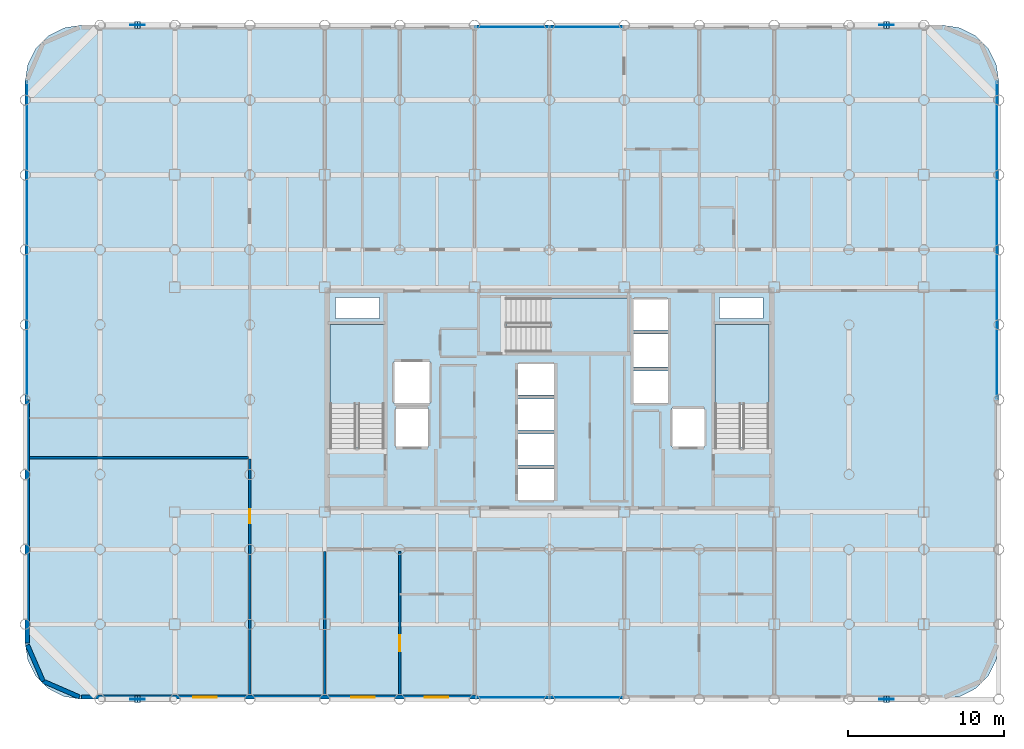
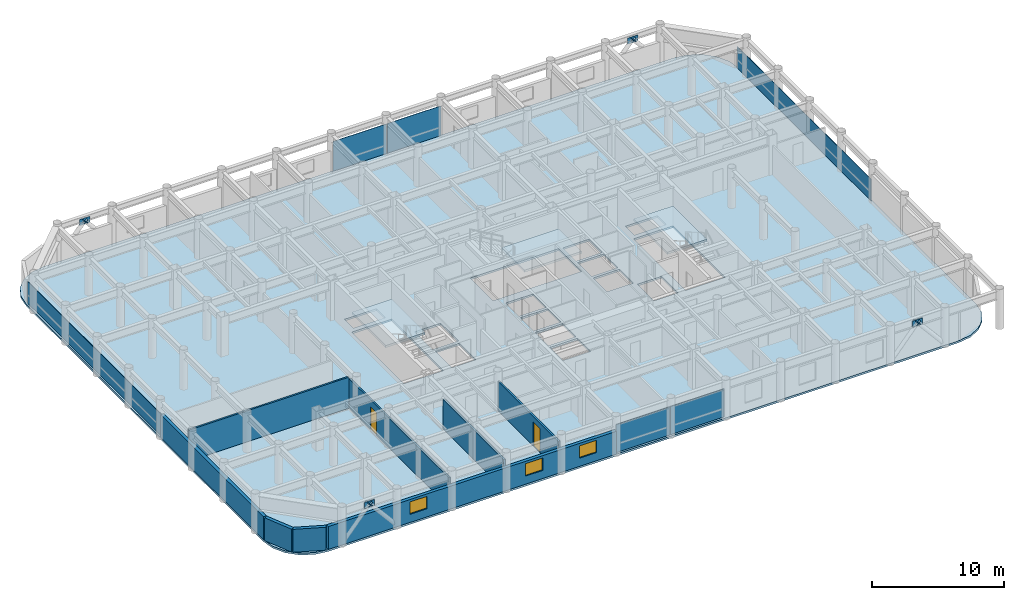
# One storey, part 15 of 20: 18 plates, 8 walls, 4 slabs, 3 windows, 2 doors, 5 openings, 7 elements without a shape of their own.
"""IFC4 building model written with IfcOpenShell, lengths in metres."""

from ifc_helpers import new_model, si_unit, direction, frame, frame_2d, origin, origin_2d, place, context, subcontext, project, spatial, polyline, rectangle, outline, extrude, material, layer, layer_set, type_object, element, fill, aggregate, save


model = new_model("IFC4")

# Units and contexts
model_context = context("Model", 3, precision=1e-05, world=origin(), true_north=direction((0.0, 1.0)))
body_context = subcontext(model_context, "Body", "Model", "MODEL_VIEW")
ifc_project = project(units=[si_unit("LENGTHUNIT", "METRE"), si_unit("AREAUNIT", "SQUARE_METRE"), si_unit("VOLUMEUNIT", "CUBIC_METRE"), si_unit("PLANEANGLEUNIT", "RADIAN"), si_unit("MASSUNIT", "GRAM", prefix="KILO")], contexts=[model_context])

# Site, building, storey
site_placement = place(None, origin())
site = spatial("IfcSite", under=ifc_project, at=site_placement, CompositionType="ELEMENT")
building_placement = place(site_placement, origin())
building = spatial("IfcBuilding", under=site, at=building_placement, Name="Kallvorn Hotel Tower", CompositionType="ELEMENT")
storey_placement = place(building_placement, frame((0.0, 0.0, 143.300048828125)))
storey = spatial("IfcBuildingStorey", under=building, at=storey_placement, Name="L35", CompositionType="ELEMENT", Elevation=143.300048828125)

# Curtain wall, plates
ifc_material_1 = material(Name="Thermally broken black-anodised aluminium AA 6063-T6", Category="aluminium")
ifc_layer_1 = layer(ifc_material_1, 0.2099609375)
ifc_layer_set_1 = layer_set([ifc_layer_1], Name="CW_SYS_4_HOTEL_MID")
curtain_wall_type = type_object("IfcCurtainWallType", Name="CW_SYS_4_HOTEL_MID", PredefinedType="USERDEFINED", material=ifc_layer_set_1)
curtain_wall_1_placement = place(storey_placement, origin())
curtain_wall_1 = element("IfcCurtainWall", 1, at=curtain_wall_1_placement, inside=storey, type_object=curtain_wall_type, Name="L35 Dark-Glass Curtain Wall CW-L35-SC", ObjectType="UNITISED CURTAIN WALL", PredefinedType="USERDEFINED")
ifc_material_2 = material(Name="Double-glazed low-e solar-control dark glass", Category="glass")
ifc_layer_2 = layer(ifc_material_2, 0.037841796875)
ifc_layer_set_2 = layer_set([ifc_layer_2], Name="CW_SYS_4_HOTEL_MID_PANEL")
plate_type_1 = type_object("IfcPlateType", Name="CW_SYS_4_HOTEL_MID_PANEL", PredefinedType="CURTAIN_PANEL", material=ifc_layer_set_2)
plate_1_placement = place(storey_placement, frame((-2.375, -19.080078125, 0.059814453125), z_axis=(0.0, 0.0, 1.0), x_axis=(1.0, 0.0, 0.0)))
plate_1 = element("IfcPlate", 2, at=plate_1_placement, type_object=plate_type_1, Name="CW-L35-SC Vision Glass Panel 00", PredefinedType="CURTAIN_PANEL", context=body_context, shape_type="SweptSolid", body=[
    extrude(rectangle(XDim=4.68994140625, YDim=0.037841796875, at=origin_2d()), origin(), (0.0, 0.0, 1.0), 2.60009765625),
])
plate_2_placement = place(storey_placement, frame((2.375, -19.080078125, 0.059814453125), z_axis=(0.0, 0.0, 1.0), x_axis=(1.0, 0.0, 0.0)))
plate_2 = element("IfcPlate", 3, at=plate_2_placement, type_object=plate_type_1, Name="CW-L35-SC Vision Glass Panel 01", PredefinedType="CURTAIN_PANEL", context=body_context, shape_type="SweptSolid", body=[
    extrude(rectangle(XDim=4.68994140625, YDim=0.037841796875, at=origin_2d()), origin(), (0.0, 0.0, 1.0), 2.60009765625),
])
aggregate(curtain_wall_1, [plate_1, plate_2])

curtain_wall_2_placement = place(storey_placement, origin())
curtain_wall_2 = element("IfcCurtainWall", 4, at=curtain_wall_2_placement, inside=storey, type_object=curtain_wall_type, Name="L35 Dark-Glass Curtain Wall CW-L35-NC", ObjectType="UNITISED CURTAIN WALL", PredefinedType="USERDEFINED")
plate_3_placement = place(storey_placement, frame((-2.375, 23.8798828125, 0.06005859375), z_axis=(0.0, 0.0, 1.0), x_axis=(1.0, 0.0, 0.0)))
plate_3 = element("IfcPlate", 5, at=plate_3_placement, type_object=plate_type_1, Name="CW-L35-NC Vision Glass Panel 00", PredefinedType="CURTAIN_PANEL", context=body_context, shape_type="SweptSolid", body=[
    extrude(rectangle(XDim=4.68994140625, YDim=0.037841796875, at=origin_2d()), origin(), (0.0, 0.0, 1.0), 2.75),
])
plate_4_placement = place(storey_placement, frame((2.375, 23.8798828125, 0.06005859375), z_axis=(0.0, 0.0, 1.0), x_axis=(1.0, 0.0, 0.0)))
plate_4 = element("IfcPlate", 6, at=plate_4_placement, type_object=plate_type_1, Name="CW-L35-NC Vision Glass Panel 01", PredefinedType="CURTAIN_PANEL", context=body_context, shape_type="SweptSolid", body=[
    extrude(rectangle(XDim=4.68994140625, YDim=0.037841796875, at=origin_2d()), origin(), (0.0, 0.0, 1.0), 2.75),
])
aggregate(curtain_wall_2, [plate_3, plate_4])

# Curtain wall, plate
curtain_wall_3_placement = place(storey_placement, origin())
curtain_wall_3 = element("IfcCurtainWall", 7, at=curtain_wall_3_placement, inside=storey, type_object=curtain_wall_type, Name="L35 Dark-Glass Curtain Wall CW-L35-WN", ObjectType="UNITISED CURTAIN WALL", PredefinedType="USERDEFINED")
plate_5_placement = place(storey_placement, frame((-33.47998046875, 10.2099609375, 0.06005859375), z_axis=(0.0, 0.0, 1.0), x_axis=(0.0, 1.0, 0.0)))
plate_5 = element("IfcPlate", 8, at=plate_5_placement, type_object=plate_type_1, Name="CW-L35-WN Vision Glass Panel 00", PredefinedType="CURTAIN_PANEL", context=body_context, shape_type="SweptSolid", body=[
    extrude(rectangle(XDim=20.320068359375, YDim=0.037841796875, at=origin_2d()), origin(), (0.0, 0.0, 1.0), 2.0),
])
aggregate(curtain_wall_3, [plate_5])

curtain_wall_4_placement = place(storey_placement, origin())
curtain_wall_4 = element("IfcCurtainWall", 9, at=curtain_wall_4_placement, inside=storey, type_object=curtain_wall_type, Name="L35 Dark-Glass Curtain Wall CW-L35-EN", ObjectType="UNITISED CURTAIN WALL", PredefinedType="USERDEFINED")
plate_6_placement = place(storey_placement, frame((28.679931640625, 10.2099609375, 0.06005859375), z_axis=(0.0, 0.0, 1.0), x_axis=(0.0, 1.0, 0.0)))
plate_6 = element("IfcPlate", 10, at=plate_6_placement, type_object=plate_type_1, Name="CW-L35-EN Vision Glass Panel 00", PredefinedType="CURTAIN_PANEL", context=body_context, shape_type="SweptSolid", body=[
    extrude(rectangle(XDim=20.320068359375, YDim=0.037841796875, at=origin_2d()), origin(), (0.0, 0.0, 1.0), 2.0),
])
aggregate(curtain_wall_4, [plate_6])

# Plates
ifc_material_3 = material(Name="Structural steel S355JR", Category="steel")
ifc_layer_3 = layer(ifc_material_3, 0.030029296875)
ifc_layer_set_3 = layer_set([ifc_layer_3], Name="PLT_CAP_30")
plate_type_2 = type_object("IfcPlateType", Name="PLT_CAP_30", PredefinedType="SHEET", material=ifc_layer_set_3)
plate_7_placement = place(storey_placement, frame((-26.227294921875, -19.417724609375, 2.876708984375), z_axis=(0.646720691081, 0.0, 0.762726915565), x_axis=(0.0, 1.0, 0.0)))
element("IfcPlate", 11, at=plate_7_placement, inside=storey, type_object=plate_type_2, Name="EXO-L35-S1A End Cap Plate B", PredefinedType="SHEET", context=body_context, shape_type="SweptSolid", body=[
    extrude(outline(polyline([(0.0, 0.0), (0.435546875, 0.0), (0.435546875, 0.4356413597636253), (0.0, 0.4356413597636253), (0.0, 0.0)])), origin(), (0.0, 0.0, -1.0), 0.030029296875),
])
plate_8_placement = place(storey_placement, frame((-26.572509765625, -18.982177734375, 2.876708984375), z_axis=(-0.646997204148, 0.0, 0.762492372306), x_axis=(0.0, -1.0, 0.0)))
element("IfcPlate", 12, at=plate_8_placement, inside=storey, type_object=plate_type_2, Name="EXO-L35-S1B End Cap Plate B", PredefinedType="SHEET", context=body_context, shape_type="SweptSolid", body=[
    extrude(outline(polyline([(0.0, 0.0), (0.435546875, 0.0), (0.435546875, 0.43545517576240456), (0.0, 0.43545517576240456), (0.0, 0.0)])), origin(), (0.0, 0.0, -1.0), 0.030029296875),
])
plate_9_placement = place(storey_placement, frame((21.772705078125, -19.417724609375, 2.876708984375), z_axis=(0.646720691081, 0.0, 0.762726915565), x_axis=(0.0, 1.0, 0.0)))
element("IfcPlate", 13, at=plate_9_placement, inside=storey, type_object=plate_type_2, Name="EXO-L35-S2A End Cap Plate B", PredefinedType="SHEET", context=body_context, shape_type="SweptSolid", body=[
    extrude(outline(polyline([(0.0, 0.0), (0.435546875, 0.0), (0.435546875, 0.4356413597636253), (0.0, 0.4356413597636253), (0.0, 0.0)])), origin(), (0.0, 0.0, -1.0), 0.030029296875),
])
plate_10_placement = place(storey_placement, frame((21.427490234375, -18.982177734375, 2.876708984375), z_axis=(-0.646997204148, 0.0, 0.762492372306), x_axis=(0.0, -1.0, 0.0)))
element("IfcPlate", 14, at=plate_10_placement, inside=storey, type_object=plate_type_2, Name="EXO-L35-S2B End Cap Plate B", PredefinedType="SHEET", context=body_context, shape_type="SweptSolid", body=[
    extrude(outline(polyline([(0.0, 0.0), (0.435546875, 0.0), (0.435546875, 0.43545517576240456), (0.0, 0.43545517576240456), (0.0, 0.0)])), origin(), (0.0, 0.0, -1.0), 0.030029296875),
])
plate_11_placement = place(storey_placement, frame((-26.227294921875, 23.7822265625, 2.876708984375), z_axis=(0.646720691081, 0.0, 0.762726915565), x_axis=(0.0, 1.0, 0.0)))
element("IfcPlate", 15, at=plate_11_placement, inside=storey, type_object=plate_type_2, Name="EXO-L35-N1A End Cap Plate B", PredefinedType="SHEET", context=body_context, shape_type="SweptSolid", body=[
    extrude(outline(polyline([(0.0, 0.0), (0.435546875, 0.0), (0.435546875, 0.4356413597636253), (0.0, 0.4356413597636253), (0.0, 0.0)])), origin(), (0.0, 0.0, -1.0), 0.030029296875),
])
plate_12_placement = place(storey_placement, frame((-26.572509765625, 24.2177734375, 2.876708984375), z_axis=(-0.646997204148, 0.0, 0.762492372306), x_axis=(0.0, -1.0, 0.0)))
element("IfcPlate", 16, at=plate_12_placement, inside=storey, type_object=plate_type_2, Name="EXO-L35-N1B End Cap Plate B", PredefinedType="SHEET", context=body_context, shape_type="SweptSolid", body=[
    extrude(outline(polyline([(0.0, 0.0), (0.435546875, 0.0), (0.435546875, 0.43545517576240456), (0.0, 0.43545517576240456), (0.0, 0.0)])), origin(), (0.0, 0.0, -1.0), 0.030029296875),
])
plate_13_placement = place(storey_placement, frame((21.772705078125, 23.7822265625, 2.876708984375), z_axis=(0.646720691081, 0.0, 0.762726915565), x_axis=(0.0, 1.0, 0.0)))
element("IfcPlate", 17, at=plate_13_placement, inside=storey, type_object=plate_type_2, Name="EXO-L35-N2A End Cap Plate B", PredefinedType="SHEET", context=body_context, shape_type="SweptSolid", body=[
    extrude(outline(polyline([(0.0, 0.0), (0.435546875, 0.0), (0.435546875, 0.4356413597636253), (0.0, 0.4356413597636253), (0.0, 0.0)])), origin(), (0.0, 0.0, -1.0), 0.030029296875),
])
plate_14_placement = place(storey_placement, frame((21.427490234375, 24.2177734375, 2.876708984375), z_axis=(-0.646997204148, 0.0, 0.762492372306), x_axis=(0.0, -1.0, 0.0)))
element("IfcPlate", 18, at=plate_14_placement, inside=storey, type_object=plate_type_2, Name="EXO-L35-N2B End Cap Plate B", PredefinedType="SHEET", context=body_context, shape_type="SweptSolid", body=[
    extrude(outline(polyline([(0.0, 0.0), (0.435546875, 0.0), (0.435546875, 0.43545517576240456), (0.0, 0.43545517576240456), (0.0, 0.0)])), origin(), (0.0, 0.0, -1.0), 0.030029296875),
])
ifc_material_4 = material(Name="Structural steel S355JR", Category="steel")
ifc_layer_4 = layer(ifc_material_4, 0.044921875)
ifc_layer_set_4 = layer_set([ifc_layer_4], Name="PLT_GUSSET_45")
plate_type_3 = type_object("IfcPlateType", Name="PLT_GUSSET_45", PredefinedType="USERDEFINED", material=ifc_layer_set_4)
for number, where, z_axis, x_axis, name in (
    (19, (-26.39990234375, -19.199951171875, 2.68994140625), (0.0, 0.0, 1.0), (1.0, 0.0, 0.0), "L35 Exoskeleton Node Gusset S1"),
    (20, (21.60009765625, -19.199951171875, 2.68994140625), (0.0, 0.0, 1.0), (1.0, 0.0, 0.0), "L35 Exoskeleton Node Gusset S2"),
    (21, (-26.39990234375, 24.0, 2.68994140625), (0.0, 0.0, 1.0), (1.0, 0.0, 0.0), "L35 Exoskeleton Node Gusset N1"),
    (22, (21.60009765625, 24.0, 2.68994140625), (0.0, 0.0, 1.0), (1.0, 0.0, 0.0), "L35 Exoskeleton Node Gusset N2"),
):
    element("IfcPlate", number, at=place(storey_placement, frame(where, z_axis=z_axis, x_axis=x_axis)), inside=storey, type_object=plate_type_3, Name=name, ObjectType="GUSSET PLATE", PredefinedType="USERDEFINED", context=body_context, shape_type="SweptSolid", body=[
        extrude(rectangle(XDim=0.89990234375, YDim=0.044921875, at=origin_2d()), origin(), (0.0, 0.0, 1.0), 0.56005859375),
    ])

# Stair, slab
ifc_material_5 = material(Name="Precast concrete C40/50", Category="concrete")
stair_type = type_object("IfcStairType", Name="STR_CORE_DOGLEG", PredefinedType="HALF_TURN_STAIR", material=ifc_material_5)
stair_1_placement = place(storey_placement, origin())
stair_1 = element("IfcStair", 23, at=stair_1_placement, inside=storey, type_object=stair_type, Name="L35 Exit stair ST1", PredefinedType="HALF_TURN_STAIR")
ifc_material_6 = material(Name="Precast concrete C40/50", Category="concrete")
ifc_layer_5 = layer(ifc_material_6, 0.179931640625)
ifc_layer_set_5 = layer_set([ifc_layer_5], Name="SLB_LANDING_180")
slab_type_1 = type_object("IfcSlabType", Name="SLB_LANDING_180", PredefinedType="LANDING", material=ifc_layer_set_5)
slab_1_placement = place(storey_placement, frame((0.0, 0.0, 1.64990234375)))
slab_1 = element("IfcSlab", 24, at=slab_1_placement, type_object=slab_type_1, Name="ST1 landing 1", PredefinedType="LANDING", context=body_context, shape_type="SweptSolid", body=[
    extrude(outline(polyline([(-10.60009765625, -0.31005859375), (-10.60009765625, 4.800048828125), (-14.06005859375, 4.800048828125), (-14.06005859375, -0.31005859375), (-10.60009765625, -0.31005859375)])), origin(), (0.0, 0.0, 1.0), 0.199951171875),
])
aggregate(stair_1, [slab_1])

stair_2_placement = place(storey_placement, origin())
stair_2 = element("IfcStair", 25, at=stair_2_placement, inside=storey, type_object=stair_type, Name="L35 Exit stair ST2", PredefinedType="HALF_TURN_STAIR")
slab_2_placement = place(storey_placement, frame((0.0, 0.0, 1.64990234375)))
slab_2 = element("IfcSlab", 26, at=slab_2_placement, type_object=slab_type_1, Name="ST2 landing 1", PredefinedType="LANDING", context=body_context, shape_type="SweptSolid", body=[
    extrude(outline(polyline([(14.06005859375, -0.31005859375), (14.06005859375, 4.800048828125), (10.60009765625, 4.800048828125), (10.60009765625, -0.31005859375), (14.06005859375, -0.31005859375)])), origin(), (0.0, 0.0, 1.0), 0.199951171875),
])
aggregate(stair_2, [slab_2])

stair_3_placement = place(storey_placement, origin())
stair_3 = element("IfcStair", 27, at=stair_3_placement, inside=storey, type_object=stair_type, Name="L35 Exit stair ST3", PredefinedType="HALF_TURN_STAIR")
slab_3_placement = place(storey_placement, frame((0.0, 0.0, 1.64990234375)))
slab_3 = element("IfcSlab", 28, at=slab_3_placement, type_object=slab_type_1, Name="ST3 landing 1", PredefinedType="LANDING", context=body_context, shape_type="SweptSolid", body=[
    extrude(outline(polyline([(0.0400390625, 3.050048828125), (5.050048828125, 3.050048828125), (5.050048828125, 6.510009765625), (0.0400390625, 6.510009765625), (0.0400390625, 3.050048828125)])), origin(), (0.0, 0.0, 1.0), 0.199951171875),
])
aggregate(stair_3, [slab_3])

# Slab
ifc_material_7 = material(Name="Concrete C40/50", Category="concrete")
ifc_layer_6 = layer(ifc_material_7, 0.179931640625)
ifc_layer_set_6 = layer_set([ifc_layer_6], Name="SLB_TOWER_180")
slab_type_2 = type_object("IfcSlabType", Name="SLB_TOWER_180", PredefinedType="FLOOR", material=ifc_layer_set_6)
slab_4_placement = place(storey_placement, frame((0.0, 0.0, -0.179931640625)))
element("IfcSlab", 29, at=slab_4_placement, inside=storey, type_object=slab_type_2, Name="L35 Structural Floor Slab", PredefinedType="FLOOR", context=body_context, shape_type="SweptSolid", body=[
    extrude(outline(polyline([(25.199951171875, -19.199951171875), (26.3125, -19.023681640625), (27.31591796875, -18.512451171875), (28.112548828125, -17.716064453125), (28.623779296875, -16.71240234375), (28.800048828125, -15.60009765625), (28.800048828125, 20.39990234375), (28.623779296875, 21.512451171875), (28.112548828125, 22.51611328125), (27.31591796875, 23.3125), (26.3125, 23.82373046875), (25.199951171875, 24.0), (-30.0, 24.0), (-31.112548828125, 23.82373046875), (-32.115966796875, 23.3125), (-32.91259765625, 22.51611328125), (-33.423828125, 21.512451171875), (-33.60009765625, 20.39990234375), (-33.60009765625, -15.60009765625), (-33.423828125, -16.71240234375), (-32.91259765625, -17.716064453125), (-32.115966796875, -18.512451171875), (-31.112548828125, -19.023681640625), (-30.0, -19.199951171875), (25.199951171875, -19.199951171875)]), holes=[polyline([(-10.60009765625, -3.070068359375), (-10.60009765625, 4.800048828125), (-14.06005859375, 4.800048828125), (-14.06005859375, -3.070068359375), (-10.60009765625, -3.070068359375)]), polyline([(14.06005859375, -3.070068359375), (14.06005859375, 4.800048828125), (10.60009765625, 4.800048828125), (10.60009765625, -3.070068359375), (14.06005859375, -3.070068359375)]), polyline([(-2.719970703125, 3.050048828125), (5.050048828125, 3.050048828125), (5.050048828125, 6.510009765625), (-2.719970703125, 6.510009765625), (-2.719970703125, 3.050048828125)]), polyline([(-2.050048828125, -6.449951171875), (0.35009765625, -6.449951171875), (0.35009765625, -4.449951171875), (-2.050048828125, -4.449951171875), (-2.050048828125, -6.449951171875)]), polyline([(-2.050048828125, -4.199951171875), (0.35009765625, -4.199951171875), (0.35009765625, -2.199951171875), (-2.050048828125, -2.199951171875), (-2.050048828125, -4.199951171875)]), polyline([(-2.050048828125, -1.949951171875), (0.35009765625, -1.949951171875), (0.35009765625, 0.050048828125), (-2.050048828125, 0.050048828125), (-2.050048828125, -1.949951171875)]), polyline([(-2.050048828125, 0.300048828125), (0.35009765625, 0.300048828125), (0.35009765625, 2.300048828125), (-2.050048828125, 2.300048828125), (-2.050048828125, 0.300048828125)]), polyline([(5.35009765625, -0.25), (7.64990234375, -0.25), (7.64990234375, 1.85009765625), (5.35009765625, 1.85009765625), (5.35009765625, -0.25)]), polyline([(5.35009765625, 2.10009765625), (7.64990234375, 2.10009765625), (7.64990234375, 4.199951171875), (5.35009765625, 4.199951171875), (5.35009765625, 2.10009765625)]), polyline([(5.35009765625, 4.449951171875), (7.64990234375, 4.449951171875), (7.64990234375, 6.449951171875), (5.35009765625, 6.449951171875), (5.35009765625, 4.449951171875)]), polyline([(-9.85009765625, -3.050048828125), (-7.75, -3.050048828125), (-7.75, -0.550048828125), (-9.85009765625, -0.550048828125), (-9.85009765625, -3.050048828125)]), polyline([(7.85009765625, -3.050048828125), (9.949951171875, -3.050048828125), (9.949951171875, -0.550048828125), (7.85009765625, -0.550048828125), (7.85009765625, -3.050048828125)]), polyline([(-9.949951171875, -0.25), (-7.64990234375, -0.25), (-7.64990234375, 2.449951171875), (-9.949951171875, 2.449951171875), (-9.949951171875, -0.25)]), polyline([(-13.699951171875, 5.199951171875), (-10.89990234375, 5.199951171875), (-10.89990234375, 6.550048828125), (-13.699951171875, 6.550048828125), (-13.699951171875, 5.199951171875)]), polyline([(10.89990234375, 5.199951171875), (13.699951171875, 5.199951171875), (13.699951171875, 6.550048828125), (10.89990234375, 6.550048828125), (10.89990234375, 5.199951171875)])]), origin(), (0.0, 0.0, 1.0), 0.179931640625),
])

# Wall
ifc_material_8 = material(Name="Fire-rated double-layer acoustic gypsum drywall EI 60")
ifc_layer_7 = layer(ifc_material_8, 0.159912109375)
ifc_layer_set_7 = layer_set([ifc_layer_7], Name="WL_DEMISE_160")
wall_type_1 = type_object("IfcWallType", Name="WL_DEMISE_160", PredefinedType="PARTITIONING", material=ifc_layer_set_7)
wall_1_placement = place(storey_placement, frame((-14.39990234375, -18.909912109375, 0.0), z_axis=(0.0, 0.0, 1.0), x_axis=(0.0, 1.0, 0.0)))
element("IfcWall", 30, at=wall_1_placement, inside=storey, type_object=wall_type_1, Name="L35 Suite 3501 Executive Living Salon Partition", PredefinedType="PARTITIONING", context=body_context, shape_type="SweptSolid", body=[
    extrude(rectangle(XDim=9.18994140625, YDim=0.159912109375, at=frame_2d((4.594970703125, 0.0))), origin(), (0.0, 0.0, 1.0), 2.719970703125),
])

# Wall, opening, door
wall_2_placement = place(storey_placement, frame((-9.60009765625, -18.909912109375, 0.0), z_axis=(0.0, 0.0, 1.0), x_axis=(0.0, 1.0, 0.0)))
wall_2 = element("IfcWall", 31, at=wall_2_placement, inside=storey, type_object=wall_type_1, Name="L35 Suite 3501 Executive Bedroom Partition", PredefinedType="PARTITIONING", context=body_context, shape_type="SweptSolid", body=[
    extrude(rectangle(XDim=9.18994140625, YDim=0.159912109375, at=frame_2d((4.594970703125, 0.0))), origin(), (0.0, 0.0, 1.0), 2.719970703125),
])
opening_1_placement = place(wall_2_placement, frame((2.77490234375, 0.0, 0.0)))
opening_1 = element("IfcOpeningElement", 32, at=opening_1_placement, cuts=wall_2, Name="Opening GD2", PredefinedType="OPENING", context=body_context, shape_type="SweptSolid", body=[
    extrude(rectangle(XDim=1.050048828125, YDim=2.199951171875, at=frame_2d((0.52490234375, 1.10009765625))), frame((0.0, 0.094970703125, 0.0), z_axis=(0.0, -1.0, 0.0), x_axis=(1.0, 0.0, 0.0)), (0.0, 0.0, 1.0), 0.18994140625),
])
ifc_material_9 = material(Name="Solid-core walnut veneer fire-rated timber door leaf", Category="wood")
door_type_1 = type_object("IfcDoorType", Name="DR_SUITE_1050x2200", OperationType="NOTDEFINED", PredefinedType="DOOR", material=ifc_material_9)
door_1_placement = place(opening_1_placement, origin())
door_1 = element("IfcDoor", 33, at=door_1_placement, inside=storey, type_object=door_type_1, Name="L35 Suite 3501 Executive Bedroom Door", OperationType="SINGLE_SWING_LEFT", OverallHeight=2.199951171875, OverallWidth=1.050048828125, PredefinedType="DOOR", context=body_context, shape_type="SweptSolid", body=[
    extrude(rectangle(XDim=1.050048828125, YDim=2.199951171875, at=frame_2d((0.52490234375, 1.10009765625))), frame((0.0, 0.02490234375, 0.0), z_axis=(0.0, -1.0, 0.0), x_axis=(1.0, 0.0, 0.0)), (0.0, 0.0, 1.0), 0.050048828125),
])
fill(opening_1, door_1)

# Walls
ifc_material_10 = material(Name="Precast basalt-clad insulated concrete wall C40/50", Category="masonry")
ifc_layer_8 = layer(ifc_material_10, 0.280029296875)
ifc_layer_set_8 = layer_set([ifc_layer_8], Name="WL_EXT_LOGGIA_280")
wall_type_2 = type_object("IfcWallType", Name="WL_EXT_LOGGIA_280", PredefinedType="SOLIDWALL", material=ifc_layer_set_8)
wall_3_placement = place(storey_placement, frame((-33.4580078125, -15.720703125, 0.0), z_axis=(0.0, 0.0, 1.0), x_axis=(0.398792985289, -0.917040977756, 0.0)))
element("IfcWall", 34, at=wall_3_placement, inside=storey, type_object=wall_type_2, Name="L35 Rounded Corner Exterior Wall SW1", PredefinedType="SOLIDWALL", context=body_context, shape_type="SweptSolid", body=[
    extrude(rectangle(XDim=2.536376953125, YDim=0.280029296875, at=frame_2d((1.26806640625, 0.0))), origin(), (0.0, 0.0, 1.0), 2.119873046875),
])
wall_4_placement = place(storey_placement, frame((-32.446533203125, -18.046630859375, 0.0), z_axis=(0.0, 0.0, 1.0), x_axis=(0.917060872934, -0.398747232384, 0.0)))
element("IfcWall", 35, at=wall_4_placement, inside=storey, type_object=wall_type_2, Name="L35 Rounded Corner Exterior Wall SW2", PredefinedType="SOLIDWALL", context=body_context, shape_type="SweptSolid", body=[
    extrude(rectangle(XDim=2.5361328125, YDim=0.280029296875, at=frame_2d((1.26806640625, 0.0))), origin(), (0.0, 0.0, 1.0), 2.119873046875),
])

# Wall, openings, windows
wall_5_placement = place(storey_placement, frame((-30.0, -19.06005859375, 0.0), z_axis=(0.0, 0.0, 1.0), x_axis=(1.0, 0.0, 0.0)))
wall_5 = element("IfcWall", 36, at=wall_5_placement, inside=storey, type_object=wall_type_2, Name="L35 Exterior Envelope Wall EW-L35-SW", PredefinedType="SOLIDWALL", context=body_context, shape_type="SweptSolid", body=[
    extrude(rectangle(XDim=25.25, YDim=0.280029296875, at=frame_2d((12.625, 0.0))), origin(), (0.0, 0.0, 1.0), 2.119873046875),
])
opening_2_placement = place(wall_5_placement, frame((7.1630859375, 0.0, 0.75)))
opening_2 = element("IfcOpeningElement", 37, at=opening_2_placement, cuts=wall_5, Name="Opening W05A", PredefinedType="OPENING", context=body_context, shape_type="SweptSolid", body=[
    extrude(rectangle(XDim=1.5, YDim=1.14990234375, at=frame_2d((0.75, 0.574951171875))), frame((0.0, 0.155029296875, 0.0), z_axis=(0.0, -1.0, 0.0), x_axis=(1.0, 0.0, 0.0)), (0.0, 0.0, 1.0), 0.31005859375),
])
opening_3_placement = place(wall_5_placement, frame((17.2900390625, 0.0, 0.75)))
opening_3 = element("IfcOpeningElement", 38, at=opening_3_placement, cuts=wall_5, Name="Opening W05A", PredefinedType="OPENING", context=body_context, shape_type="SweptSolid", body=[
    extrude(rectangle(XDim=1.5, YDim=1.14990234375, at=frame_2d((0.75, 0.574951171875))), frame((0.0, 0.155029296875, 0.0), z_axis=(0.0, -1.0, 0.0), x_axis=(1.0, 0.0, 0.0)), (0.0, 0.0, 1.0), 0.31005859375),
])
opening_4_placement = place(wall_5_placement, frame((22.010009765625, 0.0, 0.75)))
opening_4 = element("IfcOpeningElement", 39, at=opening_4_placement, cuts=wall_5, Name="Opening W05A", PredefinedType="OPENING", context=body_context, shape_type="SweptSolid", body=[
    extrude(rectangle(XDim=1.5, YDim=1.14990234375, at=frame_2d((0.75, 0.574951171875))), frame((0.0, 0.155029296875, 0.0), z_axis=(0.0, -1.0, 0.0), x_axis=(1.0, 0.0, 0.0)), (0.0, 0.0, 1.0), 0.31005859375),
])
ifc_material_11 = material(Name="Double-glazed low-e solar-control dark glass", Category="glass")
window_type = type_object("IfcWindowType", Name="WN_HTL_1500x1150", PartitioningType="SINGLE_PANEL", PredefinedType="WINDOW", material=ifc_material_11)
window_1_placement = place(opening_2_placement, origin())
window_1 = element("IfcWindow", 40, at=window_1_placement, inside=storey, type_object=window_type, Name="L35 Guestroom Exterior Window 01", OverallHeight=1.14990234375, OverallWidth=1.5, PartitioningType="SINGLE_PANEL", PredefinedType="WINDOW", context=body_context, shape_type="SweptSolid", body=[
    extrude(rectangle(XDim=1.5, YDim=1.14990234375, at=frame_2d((0.75, 0.574951171875))), frame((0.0, 0.030029296875, 0.0), z_axis=(0.0, -1.0, 0.0), x_axis=(1.0, 0.0, 0.0)), (0.0, 0.0, 1.0), 0.06005859375),
])
fill(opening_2, window_1)
window_2_placement = place(opening_3_placement, origin())
window_2 = element("IfcWindow", 41, at=window_2_placement, inside=storey, type_object=window_type, Name="L35 Guestroom Exterior Window 05", OverallHeight=1.14990234375, OverallWidth=1.5, PartitioningType="SINGLE_PANEL", PredefinedType="WINDOW", context=body_context, shape_type="SweptSolid", body=[
    extrude(rectangle(XDim=1.5, YDim=1.14990234375, at=frame_2d((0.75, 0.574951171875))), frame((0.0, 0.030029296875, 0.0), z_axis=(0.0, -1.0, 0.0), x_axis=(1.0, 0.0, 0.0)), (0.0, 0.0, 1.0), 0.06005859375),
])
fill(opening_3, window_2)
window_3_placement = place(opening_4_placement, origin())
window_3 = element("IfcWindow", 42, at=window_3_placement, inside=storey, type_object=window_type, Name="L35 Guestroom Exterior Window 06", OverallHeight=1.14990234375, OverallWidth=1.5, PartitioningType="SINGLE_PANEL", PredefinedType="WINDOW", context=body_context, shape_type="SweptSolid", body=[
    extrude(rectangle(XDim=1.5, YDim=1.14990234375, at=frame_2d((0.75, 0.574951171875))), frame((0.0, 0.030029296875, 0.0), z_axis=(0.0, -1.0, 0.0), x_axis=(1.0, 0.0, 0.0)), (0.0, 0.0, 1.0), 0.06005859375),
])
fill(opening_4, window_3)

# Walls
wall_6_placement = place(storey_placement, frame((-33.4599609375, -15.60009765625, 0.0), z_axis=(0.0, 0.0, 1.0), x_axis=(0.0, 1.0, 0.0)))
element("IfcWall", 43, at=wall_6_placement, inside=storey, type_object=wall_type_2, Name="L35 Exterior Envelope Wall EW-L35-WS", PredefinedType="SOLIDWALL", context=body_context, shape_type="SweptSolid", body=[
    extrude(rectangle(XDim=15.580078125, YDim=0.280029296875, at=frame_2d((7.7900390625, 0.0))), origin(), (0.0, 0.0, 1.0), 2.119873046875),
])
ifc_material_12 = material(Name="Fire-rated double-layer acoustic gypsum drywall EI 60")
ifc_layer_9 = layer(ifc_material_12, 0.14990234375)
ifc_layer_set_9 = layer_set([ifc_layer_9], Name="WL_PART_150")
wall_type_3 = type_object("IfcWallType", Name="WL_PART_150", PredefinedType="PARTITIONING", material=ifc_layer_set_9)
wall_7_placement = place(storey_placement, frame((-33.31005859375, -3.719970703125, 0.0), z_axis=(0.0, 0.0, 1.0), x_axis=(1.0, 0.0, 0.0)))
element("IfcWall", 44, at=wall_7_placement, inside=storey, type_object=wall_type_3, Name="L35 L35 South-West Botanical Dining Salon Partition", PredefinedType="PARTITIONING", context=body_context, shape_type="SweptSolid", body=[
    extrude(rectangle(XDim=14.030029296875, YDim=0.14990234375, at=frame_2d((7.01513671875, 0.0))), origin(), (0.0, 0.0, 1.0), 2.869873046875),
])

# Wall, opening, door
wall_8_placement = place(storey_placement, frame((-19.199951171875, -18.909912109375, 0.0), z_axis=(0.0, 0.0, 1.0), x_axis=(0.0, 1.0, 0.0)))
wall_8 = element("IfcWall", 45, at=wall_8_placement, inside=storey, type_object=wall_type_3, Name="L35 L35 South-West Botanical Dining Salon Partition", PredefinedType="PARTITIONING", context=body_context, shape_type="SweptSolid", body=[
    extrude(rectangle(XDim=15.10498046875, YDim=0.14990234375, at=frame_2d((7.552490234375, 0.0))), origin(), (0.0, 0.0, 1.0), 2.719970703125),
])
opening_5_placement = place(wall_8_placement, frame((10.99267578125, 0.0, 0.0)))
opening_5 = element("IfcOpeningElement", 46, at=opening_5_placement, cuts=wall_8, Name="Opening SVD1", PredefinedType="OPENING", context=body_context, shape_type="SweptSolid", body=[
    extrude(rectangle(XDim=0.89990234375, YDim=2.10009765625, at=frame_2d((0.449951171875, 1.050048828125))), frame((0.0, 0.08984375, 0.0), z_axis=(0.0, -1.0, 0.0), x_axis=(1.0, 0.0, 0.0)), (0.0, 0.0, 1.0), 0.179931640625),
])
ifc_material_13 = material(Name="Galvanised painted steel fire-rated door assembly", Category="steel")
door_type_2 = type_object("IfcDoorType", Name="DR_SERV_900x2100", OperationType="NOTDEFINED", PredefinedType="DOOR", material=ifc_material_13)
door_2_placement = place(opening_5_placement, origin())
door_2 = element("IfcDoor", 47, at=door_2_placement, inside=storey, type_object=door_type_2, Name="L35 L35 South-West Botanical Dining Salon Door", OperationType="SINGLE_SWING_RIGHT", OverallHeight=2.10009765625, OverallWidth=0.89990234375, PredefinedType="DOOR", context=body_context, shape_type="SweptSolid", body=[
    extrude(rectangle(XDim=0.89990234375, YDim=2.10009765625, at=frame_2d((0.449951171875, 1.050048828125))), frame((0.0, 0.02490234375, 0.0), z_axis=(0.0, -1.0, 0.0), x_axis=(1.0, 0.0, 0.0)), (0.0, 0.0, 1.0), 0.050048828125),
])
fill(opening_5, door_2)

save(model, "model.ifc")
